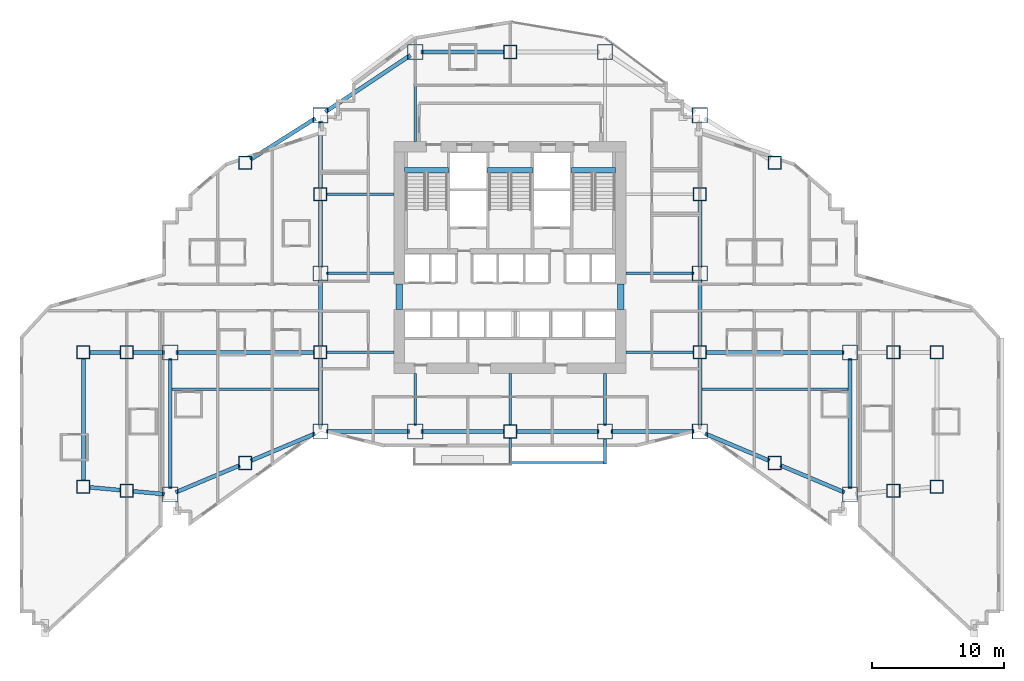
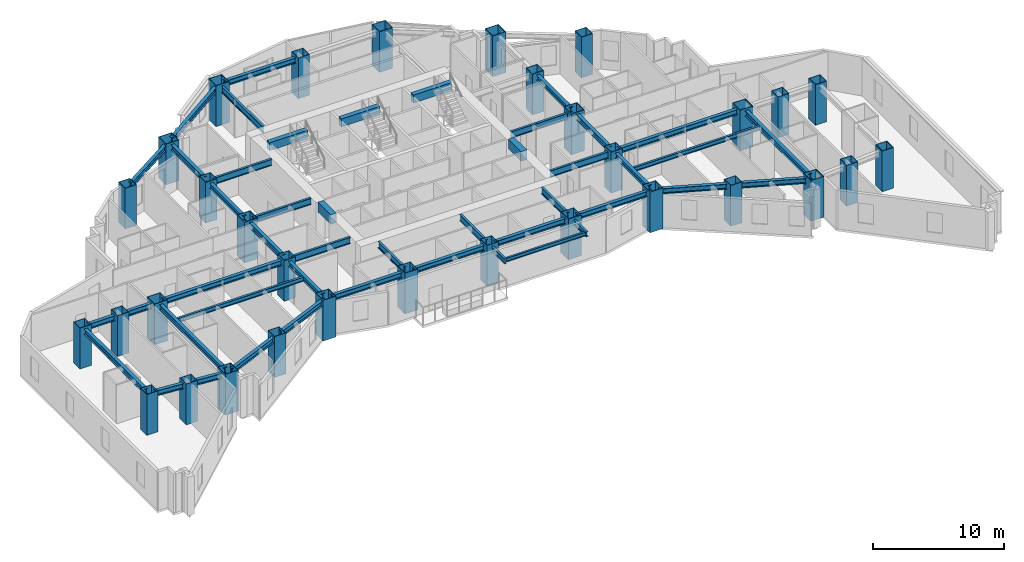
# One storey, part 1 of 16: 46 beams, 32 columns.
"""IFC4 building model written with IfcOpenShell, lengths in metres."""

from ifc_helpers import new_model, si_unit, direction, frame, origin, origin_2d, place, context, subcontext, project, spatial, rectangle, hollow_rectangle, i_section, extrude, material, material_profile, profile_set, type_object, element, save


model = new_model("IFC4")

# Units and contexts
model_context = context("Model", 3, precision=1e-05, world=origin(), true_north=direction((0.0, 1.0)))
body_context = subcontext(model_context, "Body", "Model", "MODEL_VIEW")
ifc_project = project(units=[si_unit("LENGTHUNIT", "METRE"), si_unit("AREAUNIT", "SQUARE_METRE"), si_unit("VOLUMEUNIT", "CUBIC_METRE"), si_unit("PLANEANGLEUNIT", "RADIAN"), si_unit("MASSUNIT", "GRAM", prefix="KILO")], contexts=[model_context])

# Site, building, storey
site_placement = place(None, origin())
site = spatial("IfcSite", under=ifc_project, at=site_placement, CompositionType="ELEMENT")
building_placement = place(site_placement, origin())
building = spatial("IfcBuilding", under=site, at=building_placement, Name="Haolan Belvedere Tower", CompositionType="ELEMENT")
storey_placement = place(building_placement, frame((0.0, 0.0, 78.0)))
storey = spatial("IfcBuildingStorey", under=building, at=storey_placement, Name="L19", CompositionType="ELEMENT", Elevation=78.0)

# Columns
ifc_material_1 = material(Name="Steel Q420GJC", Category="steel")
ifc_material_profile_1 = material_profile(ifc_material_1, hollow_rectangle(XDim=1.0, YDim=1.0, WallThickness=0.0380859375, at=origin_2d()), Name="Steel Q420GJC")
ifc_profile_set_1 = profile_set([ifc_material_profile_1], Name="Steel Q420GJC")
column_type_1 = type_object("IfcColumnType", Name="COL-BOX1000x1000x38", PredefinedType="COLUMN", material=ifc_profile_set_1)
for number, where, z_axis, x_axis, name in (
    (1, (6.0, 17.39990234375, 0.0), (0.0, 0.0, 1.0), (1.0, 0.0, 0.0), "L19 column MC-T1-SW (BOX1000x1000x38)"),
    (2, (6.0, 27.60009765625, 0.0), (0.0, 0.0, 1.0), (1.0, 0.0, 0.0), "L19 column MC-T1-NW (BOX1000x1000x38)"),
    (3, (70.800048828125, 17.39990234375, 0.0), (0.0, 0.0, 1.0), (1.0, 0.0, 0.0), "L19 column MC-T5-SE (BOX1000x1000x38)"),
    (4, (70.800048828125, 27.60009765625, 0.0), (0.0, 0.0, 1.0), (1.0, 0.0, 0.0), "L19 column MC-T5-NE (BOX1000x1000x38)"),
    (5, (24.0, 27.60009765625, 0.0), (0.0, 0.0, 1.0), (1.0, 0.0, 0.0), "L19 column TC-T3-W1 (BOX1000x1000x38)"),
    (6, (24.0, 39.60009765625, 0.0), (0.0, 0.0, 1.0), (1.0, 0.0, 0.0), "L19 column TC-T3-W2 (BOX1000x1000x38)"),
    (7, (52.800048828125, 27.60009765625, 0.0), (0.0, 0.0, 1.0), (1.0, 0.0, 0.0), "L19 column TC-T3-E1 (BOX1000x1000x38)"),
    (8, (52.800048828125, 39.60009765625, 0.0), (0.0, 0.0, 1.0), (1.0, 0.0, 0.0), "L19 column TC-T3-E2 (BOX1000x1000x38)"),
    (9, (38.39990234375, 21.60009765625, 0.0), (0.0, 0.0, 1.0), (1.0, 0.0, 0.0), "L19 column TC-T3-SM (BOX1000x1000x38)"),
    (10, (38.39990234375, 50.39990234375, 0.0), (0.0, 0.0, 1.0), (1.0, 0.0, 0.0), "L19 column TC-T3-NM (BOX1000x1000x38)"),
    (11, (18.300048828125, 19.199951171875, 0.0), (0.0, 0.0, 1.0), (1.0, 0.0, 0.0), "L19 column TC-T2-S1 (BOX1000x1000x38)"),
    (12, (18.300048828125, 42.0, 0.0), (0.0, 0.0, 1.0), (1.0, 0.0, 0.0), "L19 column TC-T2-N1 (BOX1000x1000x38)"),
    (13, (58.5, 19.199951171875, 0.0), (0.0, 0.0, 1.0), (1.0, 0.0, 0.0), "L19 column TC-T4-S1 (BOX1000x1000x38)"),
    (14, (58.5, 42.0, 0.0), (0.0, 0.0, 1.0), (1.0, 0.0, 0.0), "L19 column TC-T4-N1 (BOX1000x1000x38)"),
    (15, (9.300048828125, 17.10009765625, 0.0), (0.0, 0.0, 1.0), (1.0, 0.0, 0.0), "L19 column TC-T1-M1 (BOX1000x1000x38)"),
    (16, (9.300048828125, 27.60009765625, 0.0), (0.0, 0.0, 1.0), (1.0, 0.0, 0.0), "L19 column TC-T1-M2 (BOX1000x1000x38)"),
    (17, (67.5, 17.10009765625, 0.0), (0.0, 0.0, 1.0), (1.0, 0.0, 0.0), "L19 column TC-T5-M1 (BOX1000x1000x38)"),
    (18, (67.5, 27.60009765625, 0.0), (0.0, 0.0, 1.0), (1.0, 0.0, 0.0), "L19 column TC-T5-M2 (BOX1000x1000x38)"),
):
    element("IfcColumn", number, at=place(storey_placement, frame(where, z_axis=z_axis, x_axis=x_axis)), inside=storey, type_object=column_type_1, Name=name, PredefinedType="COLUMN", context=body_context, shape_type="SweptSolid", body=[
        extrude(hollow_rectangle(XDim=1.0, YDim=1.0, WallThickness=0.0380859375, at=origin_2d()), origin(), (0.0, 0.0, 1.0), 3.800048828125),
    ])
ifc_material_2 = material(Name="Steel Q355B", Category="steel")
ifc_material_profile_2 = material_profile(ifc_material_2, hollow_rectangle(XDim=1.14990234375, YDim=1.14990234375, WallThickness=0.0419921875, at=origin_2d()), Name="Steel Q355B")
ifc_profile_set_2 = profile_set([ifc_material_profile_2], Name="Steel Q355B")
column_type_2 = type_object("IfcColumnType", Name="COL-BOX1150x1150x42", PredefinedType="COLUMN", material=ifc_profile_set_2)
for number, where, z_axis, x_axis, name in (
    (19, (24.0, 21.60009765625, 0.0), (0.0, 0.0, 1.0), (1.0, 0.0, 0.0), "L19 column MC-T3-SW (BOX1150x1150x42)"),
    (20, (24.0, 33.60009765625, 0.0), (0.0, 0.0, 1.0), (1.0, 0.0, 0.0), "L19 column MC-T3-MW (BOX1150x1150x42)"),
    (21, (24.0, 45.60009765625, 0.0), (0.0, 0.0, 1.0), (1.0, 0.0, 0.0), "L19 column MC-T3-NW (BOX1150x1150x42)"),
    (22, (52.800048828125, 21.60009765625, 0.0), (0.0, 0.0, 1.0), (1.0, 0.0, 0.0), "L19 column MC-T3-SE (BOX1150x1150x42)"),
    (23, (52.800048828125, 33.60009765625, 0.0), (0.0, 0.0, 1.0), (1.0, 0.0, 0.0), "L19 column MC-T3-ME (BOX1150x1150x42)"),
    (24, (52.800048828125, 45.60009765625, 0.0), (0.0, 0.0, 1.0), (1.0, 0.0, 0.0), "L19 column MC-T3-NE (BOX1150x1150x42)"),
    (25, (31.199951171875, 21.60009765625, 0.0), (0.0, 0.0, 1.0), (1.0, 0.0, 0.0), "L19 column MC-T3-S1 (BOX1150x1150x42)"),
    (26, (45.60009765625, 21.60009765625, 0.0), (0.0, 0.0, 1.0), (1.0, 0.0, 0.0), "L19 column MC-T3-S2 (BOX1150x1150x42)"),
    (27, (31.199951171875, 50.39990234375, 0.0), (0.0, 0.0, 1.0), (1.0, 0.0, 0.0), "L19 column MC-T3-N1 (BOX1150x1150x42)"),
    (28, (45.60009765625, 50.39990234375, 0.0), (0.0, 0.0, 1.0), (1.0, 0.0, 0.0), "L19 column MC-T3-N2 (BOX1150x1150x42)"),
    (29, (12.60009765625, 16.800048828125, 0.0), (0.0, 0.0, 1.0), (1.0, 0.0, 0.0), "L19 column MC-T2-SW (BOX1150x1150x42)"),
    (30, (12.60009765625, 27.60009765625, 0.0), (0.0, 0.0, 1.0), (1.0, 0.0, 0.0), "L19 column MC-T2-MW (BOX1150x1150x42)"),
    (31, (64.199951171875, 16.800048828125, 0.0), (0.0, 0.0, 1.0), (1.0, 0.0, 0.0), "L19 column MC-T4-SE (BOX1150x1150x42)"),
    (32, (64.199951171875, 27.60009765625, 0.0), (0.0, 0.0, 1.0), (1.0, 0.0, 0.0), "L19 column MC-T4-ME (BOX1150x1150x42)"),
):
    element("IfcColumn", number, at=place(storey_placement, frame(where, z_axis=z_axis, x_axis=x_axis)), inside=storey, type_object=column_type_2, Name=name, PredefinedType="COLUMN", context=body_context, shape_type="SweptSolid", body=[
        extrude(hollow_rectangle(XDim=1.14990234375, YDim=1.14990234375, WallThickness=0.0419921875, at=origin_2d()), origin(), (0.0, 0.0, 1.0), 3.800048828125),
    ])

# Beams
ifc_material_profile_3 = material_profile(ifc_material_2, i_section(OverallWidth=0.300048828125, OverallDepth=0.488037109375, WebThickness=0.010986328125, FlangeThickness=0.01806640625, FilletRadius=0.02587890625, at=origin_2d()), Name="Steel Q355B")
ifc_profile_set_3 = profile_set([ifc_material_profile_3], Name="Steel Q355B")
beam_type_1 = type_object("IfcBeamType", Name="BM-HM488x300x11x18", PredefinedType="SPANDREL", material=ifc_profile_set_3)
for number, where, z_axis, x_axis, name in (
    (33, (24.0, 22.050048828125, 3.35595703125), (0.0, 1.0, 0.0), (-1.0, 0.0, 0.0), "L19 spandrel girder MC-T3-SW-TC-T3-W1"),
    (34, (24.0, 28.050048828125, 3.35595703125), (0.0, 1.0, 0.0), (-1.0, 0.0, 0.0), "L19 spandrel girder TC-T3-W1-MC-T3-MW"),
    (35, (24.0, 34.050048828125, 3.35595703125), (0.0, 1.0, 0.0), (-1.0, 0.0, 0.0), "L19 spandrel girder MC-T3-MW-TC-T3-W2"),
    (36, (24.0, 40.050048828125, 3.35595703125), (0.0, 1.0, 0.0), (-1.0, 0.0, 0.0), "L19 spandrel girder TC-T3-W2-MC-T3-NW"),
    (37, (52.800048828125, 22.050048828125, 3.35595703125), (0.0, 1.0, 0.0), (-1.0, 0.0, 0.0), "L19 spandrel girder MC-T3-SE-TC-T3-E1"),
    (38, (52.800048828125, 28.050048828125, 3.35595703125), (0.0, 1.0, 0.0), (-1.0, 0.0, 0.0), "L19 spandrel girder TC-T3-E1-MC-T3-ME"),
    (39, (52.800048828125, 34.050048828125, 3.35595703125), (0.0, 1.0, 0.0), (-1.0, 0.0, 0.0), "L19 spandrel girder MC-T3-ME-TC-T3-E2"),
):
    element("IfcBeam", number, at=place(storey_placement, frame(where, z_axis=z_axis, x_axis=x_axis)), inside=storey, type_object=beam_type_1, Name=name, PredefinedType="SPANDREL", context=body_context, shape_type="SweptSolid", body=[
        extrude(i_section(OverallWidth=0.300048828125, OverallDepth=0.488037109375, WebThickness=0.010986328125, FlangeThickness=0.01806640625, FilletRadius=0.02587890625, at=origin_2d()), origin(), (0.0, 0.0, 1.0), 5.099853515625),
    ])
for number, where, z_axis, x_axis, name in (
    (40, (24.449951171875, 21.60009765625, 3.35595703125), (1.0, 0.0, 0.0), (0.0, 1.0, 0.0), "L19 spandrel girder MC-T3-SW-MC-T3-S1"),
    (41, (31.64990234375, 21.60009765625, 3.35595703125), (1.0, 0.0, 0.0), (0.0, 1.0, 0.0), "L19 spandrel girder MC-T3-S1-TC-T3-SM"),
):
    element("IfcBeam", number, at=place(storey_placement, frame(where, z_axis=z_axis, x_axis=x_axis)), inside=storey, type_object=beam_type_1, Name=name, PredefinedType="SPANDREL", context=body_context, shape_type="SweptSolid", body=[
        extrude(i_section(OverallWidth=0.300048828125, OverallDepth=0.488037109375, WebThickness=0.010986328125, FlangeThickness=0.01806640625, FilletRadius=0.02587890625, at=origin_2d()), origin(), (0.0, 0.0, 1.0), 6.300048828125),
    ])
beam_1_placement = place(storey_placement, frame((38.85009765625, 21.60009765625, 3.35595703125), z_axis=(1.0, 0.0, 0.0), x_axis=(0.0, 1.0, 0.0)))
element("IfcBeam", 42, at=beam_1_placement, inside=storey, type_object=beam_type_1, Name="L19 spandrel girder TC-T3-SM-MC-T3-S2", PredefinedType="SPANDREL", context=body_context, shape_type="SweptSolid", body=[
    extrude(i_section(OverallWidth=0.300048828125, OverallDepth=0.488037109375, WebThickness=0.010986328125, FlangeThickness=0.01806640625, FilletRadius=0.02587890625, at=origin_2d()), origin(), (0.0, 0.0, 1.0), 6.2998046875),
])
beam_2_placement = place(storey_placement, frame((46.050048828125, 21.60009765625, 3.35595703125), z_axis=(1.0, 0.0, 0.0), x_axis=(0.0, 1.0, 0.0)))
element("IfcBeam", 43, at=beam_2_placement, inside=storey, type_object=beam_type_1, Name="L19 spandrel girder MC-T3-S2-MC-T3-SE", PredefinedType="SPANDREL", context=body_context, shape_type="SweptSolid", body=[
    extrude(i_section(OverallWidth=0.300048828125, OverallDepth=0.488037109375, WebThickness=0.010986328125, FlangeThickness=0.01806640625, FilletRadius=0.02587890625, at=origin_2d()), origin(), (0.0, 0.0, 1.0), 6.300048828125),
])
beam_3_placement = place(storey_placement, frame((24.37451171875, 45.849609375, 3.35595703125), z_axis=(0.832050294338, 0.554700196225, 0.0), x_axis=(-0.554700196225, 0.832050294338, 0.0)))
element("IfcBeam", 44, at=beam_3_placement, inside=storey, type_object=beam_type_1, Name="L19 spandrel girder MC-T3-NW-MC-T3-N1", PredefinedType="SPANDREL", context=body_context, shape_type="SweptSolid", body=[
    extrude(i_section(OverallWidth=0.300048828125, OverallDepth=0.488037109375, WebThickness=0.010986328125, FlangeThickness=0.01806640625, FilletRadius=0.02587890625, at=origin_2d()), origin(), (0.0, 0.0, 1.0), 7.75341796875),
])
beam_4_placement = place(storey_placement, frame((31.64990234375, 50.39990234375, 3.35595703125), z_axis=(1.0, 0.0, 0.0), x_axis=(0.0, 1.0, 0.0)))
element("IfcBeam", 45, at=beam_4_placement, inside=storey, type_object=beam_type_1, Name="L19 spandrel girder MC-T3-N1-TC-T3-NM", PredefinedType="SPANDREL", context=body_context, shape_type="SweptSolid", body=[
    extrude(i_section(OverallWidth=0.300048828125, OverallDepth=0.488037109375, WebThickness=0.010986328125, FlangeThickness=0.01806640625, FilletRadius=0.02587890625, at=origin_2d()), origin(), (0.0, 0.0, 1.0), 6.300048828125),
])
beam_5_placement = place(storey_placement, frame((12.60009765625, 17.25, 3.35595703125), z_axis=(0.0, 1.0, 0.0), x_axis=(-1.0, 0.0, 0.0)))
element("IfcBeam", 46, at=beam_5_placement, inside=storey, type_object=beam_type_1, Name="L19 spandrel girder MC-T2-SW-MC-T2-MW", PredefinedType="SPANDREL", context=body_context, shape_type="SweptSolid", body=[
    extrude(i_section(OverallWidth=0.300048828125, OverallDepth=0.488037109375, WebThickness=0.010986328125, FlangeThickness=0.01806640625, FilletRadius=0.02587890625, at=origin_2d()), origin(), (0.0, 0.0, 1.0), 9.89990234375),
])
beam_6_placement = place(storey_placement, frame((13.0146484375, 16.974609375, 3.35595703125), z_axis=(0.921635375138, 0.388057000058, 0.0), x_axis=(-0.388057000058, 0.921635375138, 0.0)))
element("IfcBeam", 47, at=beam_6_placement, inside=storey, type_object=beam_type_1, Name="L19 spandrel girder MC-T2-SW-TC-T2-S1", PredefinedType="SPANDREL", context=body_context, shape_type="SweptSolid", body=[
    extrude(i_section(OverallWidth=0.300048828125, OverallDepth=0.488037109375, WebThickness=0.010986328125, FlangeThickness=0.01806640625, FilletRadius=0.02587890625, at=origin_2d()), origin(), (0.0, 0.0, 1.0), 5.28466796875),
])
beam_7_placement = place(storey_placement, frame((18.71484375, 19.37451171875, 3.35595703125), z_axis=(0.92162841793, 0.388073523014, 0.0), x_axis=(-0.388073523014, 0.92162841793, 0.0)))
element("IfcBeam", 48, at=beam_7_placement, inside=storey, type_object=beam_type_1, Name="L19 spandrel girder TC-T2-S1-MC-T3-SW", PredefinedType="SPANDREL", context=body_context, shape_type="SweptSolid", body=[
    extrude(i_section(OverallWidth=0.300048828125, OverallDepth=0.488037109375, WebThickness=0.010986328125, FlangeThickness=0.01806640625, FilletRadius=0.02587890625, at=origin_2d()), origin(), (0.0, 0.0, 1.0), 5.284423828125),
])
beam_8_placement = place(storey_placement, frame((18.680419921875, 42.240234375, 3.35595703125), z_axis=(0.845497840649, 0.533978839898, 0.0), x_axis=(-0.533978839898, 0.845497840649, 0.0)))
element("IfcBeam", 49, at=beam_8_placement, inside=storey, type_object=beam_type_1, Name="L19 spandrel girder TC-T2-N1-MC-T3-NW", PredefinedType="SPANDREL", context=body_context, shape_type="SweptSolid", body=[
    extrude(i_section(OverallWidth=0.300048828125, OverallDepth=0.488037109375, WebThickness=0.010986328125, FlangeThickness=0.01806640625, FilletRadius=0.02587890625, at=origin_2d()), origin(), (0.0, 0.0, 1.0), 5.841796875),
])
beam_9_placement = place(storey_placement, frame((13.050048828125, 27.60009765625, 3.35595703125), z_axis=(1.0, 0.0, 0.0), x_axis=(0.0, 1.0, 0.0)))
element("IfcBeam", 50, at=beam_9_placement, inside=storey, type_object=beam_type_1, Name="L19 spandrel girder MC-T2-MW-TC-T3-W1", PredefinedType="SPANDREL", context=body_context, shape_type="SweptSolid", body=[
    extrude(i_section(OverallWidth=0.300048828125, OverallDepth=0.488037109375, WebThickness=0.010986328125, FlangeThickness=0.01806640625, FilletRadius=0.02587890625, at=origin_2d()), origin(), (0.0, 0.0, 1.0), 10.5),
])
beam_10_placement = place(storey_placement, frame((64.199951171875, 17.25, 3.35595703125), z_axis=(0.0, 1.0, 0.0), x_axis=(-1.0, 0.0, 0.0)))
element("IfcBeam", 51, at=beam_10_placement, inside=storey, type_object=beam_type_1, Name="L19 spandrel girder MC-T4-SE-MC-T4-ME", PredefinedType="SPANDREL", context=body_context, shape_type="SweptSolid", body=[
    extrude(i_section(OverallWidth=0.300048828125, OverallDepth=0.488037109375, WebThickness=0.010986328125, FlangeThickness=0.01806640625, FilletRadius=0.02587890625, at=origin_2d()), origin(), (0.0, 0.0, 1.0), 9.89990234375),
])
for number, where, z_axis, x_axis, name in (
    (52, (53.21484375, 21.42529296875, 3.35595703125), (0.92162841793, -0.388073523014, 0.0), (0.388073523014, 0.92162841793, 0.0), "L19 spandrel girder MC-T3-SE-TC-T4-S1"),
    (53, (58.914794921875, 19.025390625, 3.35595703125), (0.92162841793, -0.388073523014, 0.0), (0.388073523014, 0.92162841793, 0.0), "L19 spandrel girder TC-T4-S1-MC-T4-SE"),
):
    element("IfcBeam", number, at=place(storey_placement, frame(where, z_axis=z_axis, x_axis=x_axis)), inside=storey, type_object=beam_type_1, Name=name, PredefinedType="SPANDREL", context=body_context, shape_type="SweptSolid", body=[
        extrude(i_section(OverallWidth=0.300048828125, OverallDepth=0.488037109375, WebThickness=0.010986328125, FlangeThickness=0.01806640625, FilletRadius=0.02587890625, at=origin_2d()), origin(), (0.0, 0.0, 1.0), 5.284423828125),
    ])
beam_11_placement = place(storey_placement, frame((53.25, 27.60009765625, 3.35595703125), z_axis=(1.0, 0.0, 0.0), x_axis=(0.0, 1.0, 0.0)))
element("IfcBeam", 54, at=beam_11_placement, inside=storey, type_object=beam_type_1, Name="L19 spandrel girder TC-T3-E1-MC-T4-ME", PredefinedType="SPANDREL", context=body_context, shape_type="SweptSolid", body=[
    extrude(i_section(OverallWidth=0.300048828125, OverallDepth=0.488037109375, WebThickness=0.010986328125, FlangeThickness=0.01806640625, FilletRadius=0.02587890625, at=origin_2d()), origin(), (0.0, 0.0, 1.0), 10.5),
])
beam_12_placement = place(storey_placement, frame((6.0, 17.85009765625, 3.35595703125), z_axis=(0.0, 1.0, 0.0), x_axis=(-1.0, 0.0, 0.0)))
element("IfcBeam", 55, at=beam_12_placement, inside=storey, type_object=beam_type_1, Name="L19 spandrel girder MC-T1-SW-MC-T1-NW", PredefinedType="SPANDREL", context=body_context, shape_type="SweptSolid", body=[
    extrude(i_section(OverallWidth=0.300048828125, OverallDepth=0.488037109375, WebThickness=0.010986328125, FlangeThickness=0.01806640625, FilletRadius=0.02587890625, at=origin_2d()), origin(), (0.0, 0.0, 1.0), 9.2998046875),
])
beam_13_placement = place(storey_placement, frame((6.4482421875, 17.359375, 3.35595703125), z_axis=(0.995884080761, -0.090636072764, 0.0), x_axis=(0.090636072764, 0.995884080761, 0.0)))
element("IfcBeam", 56, at=beam_13_placement, inside=storey, type_object=beam_type_1, Name="L19 spandrel girder MC-T1-SW-TC-T1-M1", PredefinedType="SPANDREL", context=body_context, shape_type="SweptSolid", body=[
    extrude(i_section(OverallWidth=0.300048828125, OverallDepth=0.488037109375, WebThickness=0.010986328125, FlangeThickness=0.01806640625, FilletRadius=0.02587890625, at=origin_2d()), origin(), (0.0, 0.0, 1.0), 2.41357421875),
])
beam_14_placement = place(storey_placement, frame((9.748046875, 17.059326171875, 3.35595703125), z_axis=(0.9958940355, -0.090526626221, 0.0), x_axis=(0.090526626221, 0.9958940355, 0.0)))
element("IfcBeam", 57, at=beam_14_placement, inside=storey, type_object=beam_type_1, Name="L19 spandrel girder TC-T1-M1-MC-T2-SW", PredefinedType="SPANDREL", context=body_context, shape_type="SweptSolid", body=[
    extrude(i_section(OverallWidth=0.300048828125, OverallDepth=0.488037109375, WebThickness=0.010986328125, FlangeThickness=0.01806640625, FilletRadius=0.02587890625, at=origin_2d()), origin(), (0.0, 0.0, 1.0), 2.413818359375),
])
beam_15_placement = place(storey_placement, frame((6.449951171875, 27.60009765625, 3.35595703125), z_axis=(1.0, 0.0, 0.0), x_axis=(0.0, 1.0, 0.0)))
element("IfcBeam", 58, at=beam_15_placement, inside=storey, type_object=beam_type_1, Name="L19 spandrel girder MC-T1-NW-TC-T1-M2", PredefinedType="SPANDREL", context=body_context, shape_type="SweptSolid", body=[
    extrude(i_section(OverallWidth=0.300048828125, OverallDepth=0.488037109375, WebThickness=0.010986328125, FlangeThickness=0.01806640625, FilletRadius=0.02587890625, at=origin_2d()), origin(), (0.0, 0.0, 1.0), 2.400146484375),
])
beam_16_placement = place(storey_placement, frame((9.75, 27.60009765625, 3.35595703125), z_axis=(1.0, 0.0, 0.0), x_axis=(0.0, 1.0, 0.0)))
element("IfcBeam", 59, at=beam_16_placement, inside=storey, type_object=beam_type_1, Name="L19 spandrel girder TC-T1-M2-MC-T2-MW", PredefinedType="SPANDREL", context=body_context, shape_type="SweptSolid", body=[
    extrude(i_section(OverallWidth=0.300048828125, OverallDepth=0.488037109375, WebThickness=0.010986328125, FlangeThickness=0.01806640625, FilletRadius=0.02587890625, at=origin_2d()), origin(), (0.0, 0.0, 1.0), 2.39990234375),
])
ifc_material_profile_4 = material_profile(ifc_material_2, i_section(OverallWidth=0.175048828125, OverallDepth=0.35009765625, WebThickness=0.007080078125, FlangeThickness=0.010986328125, FilletRadius=0.012939453125, at=origin_2d()), Name="Steel Q355B")
ifc_profile_set_4 = profile_set([ifc_material_profile_4], Name="Steel Q355B")
beam_type_2 = type_object("IfcBeamType", Name="BM-HN350x175x7x11", PredefinedType="JOIST", material=ifc_profile_set_4)
beam_17_placement = place(storey_placement, frame((38.5, 19.239990234375, 3.39501953125), z_axis=(1.0, 0.0, 0.0), x_axis=(0.0, 1.0, 0.0)))
element("IfcBeam", 60, at=beam_17_placement, inside=storey, type_object=beam_type_2, Name="L20 tree-balcony front trimmer beam 1", PredefinedType="BEAM", context=body_context, shape_type="SweptSolid", body=[
    extrude(i_section(OverallWidth=0.175048828125, OverallDepth=0.35009765625, WebThickness=0.007080078125, FlangeThickness=0.010986328125, FilletRadius=0.012939453125, at=origin_2d()), origin(), (0.0, 0.0, 1.0), 7.0),
])
ifc_material_profile_5 = material_profile(ifc_material_2, i_section(OverallWidth=0.199951171875, OverallDepth=0.39990234375, WebThickness=0.008056640625, FlangeThickness=0.012939453125, FilletRadius=0.01611328125, at=origin_2d()), Name="Steel Q355B")
ifc_profile_set_5 = profile_set([ifc_material_profile_5], Name="Steel Q355B")
beam_type_3 = type_object("IfcBeamType", Name="BM-HN400x200x8x13", PredefinedType="JOIST", material=ifc_profile_set_5)
for number, where, z_axis, x_axis, name in (
    (61, (12.75, 24.800048828125, 3.39990234375), (1.0, 0.0, 0.0), (0.0, 1.0, 0.0), "L19 west wing floor joist 1"),
    (62, (52.949951171875, 24.800048828125, 3.39990234375), (1.0, 0.0, 0.0), (0.0, 1.0, 0.0), "L19 east wing floor joist 1"),
):
    element("IfcBeam", number, at=place(storey_placement, frame(where, z_axis=z_axis, x_axis=x_axis)), inside=storey, type_object=beam_type_3, Name=name, PredefinedType="JOIST", context=body_context, shape_type="SweptSolid", body=[
        extrude(i_section(OverallWidth=0.199951171875, OverallDepth=0.39990234375, WebThickness=0.008056640625, FlangeThickness=0.012939453125, FilletRadius=0.01611328125, at=origin_2d()), origin(), (0.0, 0.0, 1.0), 11.10009765625),
    ])
ifc_material_profile_6 = material_profile(ifc_material_2, i_section(OverallWidth=0.199951171875, OverallDepth=0.449951171875, WebThickness=0.009033203125, FlangeThickness=0.013916015625, FilletRadius=0.01611328125, at=origin_2d()), Name="Steel Q355B")
ifc_profile_set_6 = profile_set([ifc_material_profile_6], Name="Steel Q355B")
beam_type_4 = type_object("IfcBeamType", Name="BM-HN450x200x9x14", PredefinedType="BEAM", material=ifc_profile_set_6)
beam_18_placement = place(storey_placement, frame((38.39990234375, 21.10009765625, 3.344970703125), z_axis=(0.0, -1.0, 0.0), x_axis=(1.0, 0.0, 0.0)))
element("IfcBeam", 63, at=beam_18_placement, inside=storey, type_object=beam_type_4, Name="L20 tree-balcony column cantilever TC-T3-SM", PredefinedType="BEAM", context=body_context, shape_type="SweptSolid", body=[
    extrude(i_section(OverallWidth=0.199951171875, OverallDepth=0.449951171875, WebThickness=0.009033203125, FlangeThickness=0.013916015625, FilletRadius=0.01611328125, at=origin_2d()), origin(), (0.0, 0.0, 1.0), 1.960205078125),
])
beam_19_placement = place(storey_placement, frame((45.60009765625, 21.02490234375, 3.344970703125), z_axis=(0.0, -1.0, 0.0), x_axis=(1.0, 0.0, 0.0)))
element("IfcBeam", 64, at=beam_19_placement, inside=storey, type_object=beam_type_4, Name="L20 tree-balcony column cantilever MC-T3-S2", PredefinedType="BEAM", context=body_context, shape_type="SweptSolid", body=[
    extrude(i_section(OverallWidth=0.199951171875, OverallDepth=0.449951171875, WebThickness=0.009033203125, FlangeThickness=0.013916015625, FilletRadius=0.01611328125, at=origin_2d()), origin(), (0.0, 0.0, 1.0), 1.885009765625),
])
ifc_material_profile_7 = material_profile(ifc_material_2, i_section(OverallWidth=0.199951171875, OverallDepth=0.60009765625, WebThickness=0.010986328125, FlangeThickness=0.01708984375, FilletRadius=0.02197265625, at=origin_2d()), Name="Steel Q355B")
ifc_profile_set_7 = profile_set([ifc_material_profile_7], Name="Steel Q355B")
beam_type_5 = type_object("IfcBeamType", Name="BM-HN600x200x11x17", PredefinedType="BEAM", material=ifc_profile_set_7)
for number, where, z_axis, x_axis, name in (
    (65, (24.449951171875, 33.60009765625, 3.300048828125), (1.0, 0.0, 0.0), (0.0, 1.0, 0.0), "L19 core tie beam from MC-T3-MW"),
    (66, (24.449951171875, 27.60009765625, 3.300048828125), (1.0, 0.0, 0.0), (0.0, 1.0, 0.0), "L19 core tie beam from TC-T3-W1"),
    (67, (24.449951171875, 39.60009765625, 3.300048828125), (1.0, 0.0, 0.0), (0.0, 1.0, 0.0), "L19 core tie beam from TC-T3-W2"),
    (68, (52.35009765625, 33.60009765625, 3.300048828125), (-1.0, 0.0, 0.0), (0.0, -1.0, 0.0), "L19 core tie beam from MC-T3-ME"),
    (69, (52.35009765625, 27.60009765625, 3.300048828125), (-1.0, 0.0, 0.0), (0.0, -1.0, 0.0), "L19 core tie beam from TC-T3-E1"),
):
    element("IfcBeam", number, at=place(storey_placement, frame(where, z_axis=z_axis, x_axis=x_axis)), inside=storey, type_object=beam_type_5, Name=name, PredefinedType="BEAM", context=body_context, shape_type="SweptSolid", body=[
        extrude(i_section(OverallWidth=0.199951171875, OverallDepth=0.60009765625, WebThickness=0.010986328125, FlangeThickness=0.01708984375, FilletRadius=0.02197265625, at=origin_2d()), origin(), (0.0, 0.0, 1.0), 5.150146484375),
    ])
for number, where, z_axis, x_axis, name in (
    (70, (31.199951171875, 22.050048828125, 3.300048828125), (0.0, 1.0, 0.0), (-1.0, 0.0, 0.0), "L19 core tie beam from MC-T3-S1"),
    (71, (38.39990234375, 22.050048828125, 3.300048828125), (0.0, 1.0, 0.0), (-1.0, 0.0, 0.0), "L19 core tie beam from TC-T3-SM"),
    (72, (45.60009765625, 22.050048828125, 3.300048828125), (0.0, 1.0, 0.0), (-1.0, 0.0, 0.0), "L19 core tie beam from MC-T3-S2"),
):
    element("IfcBeam", number, at=place(storey_placement, frame(where, z_axis=z_axis, x_axis=x_axis)), inside=storey, type_object=beam_type_5, Name=name, PredefinedType="BEAM", context=body_context, shape_type="SweptSolid", body=[
        extrude(i_section(OverallWidth=0.199951171875, OverallDepth=0.60009765625, WebThickness=0.010986328125, FlangeThickness=0.01708984375, FilletRadius=0.02197265625, at=origin_2d()), origin(), (0.0, 0.0, 1.0), 3.949951171875),
    ])
beam_20_placement = place(storey_placement, frame((31.199951171875, 49.949951171875, 3.300048828125), z_axis=(0.0, -1.0, 0.0), x_axis=(1.0, 0.0, 0.0)))
element("IfcBeam", 73, at=beam_20_placement, inside=storey, type_object=beam_type_5, Name="L19 core tie beam from MC-T3-N1", PredefinedType="BEAM", context=body_context, shape_type="SweptSolid", body=[
    extrude(i_section(OverallWidth=0.199951171875, OverallDepth=0.60009765625, WebThickness=0.010986328125, FlangeThickness=0.01708984375, FilletRadius=0.02197265625, at=origin_2d()), origin(), (0.0, 0.0, 1.0), 6.349853515625),
])
ifc_material_3 = material(Name="Concrete C50/60", Category="concrete")
ifc_material_profile_8 = material_profile(ifc_material_3, rectangle(XDim=0.39990234375, YDim=0.75, at=origin_2d()), Name="Concrete C50/60")
ifc_profile_set_8 = profile_set([ifc_material_profile_8], Name="Concrete C50/60")
beam_type_6 = type_object("IfcBeamType", Name="BM-RC400x750", PredefinedType="T_BEAM", material=ifc_profile_set_8)
beam_21_placement = place(storey_placement, frame((30.3798828125, 41.429931640625, 3.425048828125), z_axis=(1.0, 0.0, 0.0), x_axis=(0.0, 1.0, 0.0)))
element("IfcBeam", 74, at=beam_21_placement, inside=storey, type_object=beam_type_6, Name="L20 stair ST1 RC header trimmer beam", PredefinedType="BEAM", context=body_context, shape_type="SweptSolid", body=[
    extrude(rectangle(XDim=0.39990234375, YDim=0.75, at=origin_2d()), origin(), (0.0, 0.0, 1.0), 3.360107421875),
])
beam_22_placement = place(storey_placement, frame((36.699951171875, 41.429931640625, 3.425048828125), z_axis=(1.0, 0.0, 0.0), x_axis=(0.0, 1.0, 0.0)))
element("IfcBeam", 75, at=beam_22_placement, inside=storey, type_object=beam_type_6, Name="L20 stair ST3 RC header trimmer beam", PredefinedType="BEAM", context=body_context, shape_type="SweptSolid", body=[
    extrude(rectangle(XDim=0.39990234375, YDim=0.75, at=origin_2d()), origin(), (0.0, 0.0, 1.0), 3.400146484375),
])
beam_23_placement = place(storey_placement, frame((43.06005859375, 41.429931640625, 3.425048828125), z_axis=(1.0, 0.0, 0.0), x_axis=(0.0, 1.0, 0.0)))
element("IfcBeam", 76, at=beam_23_placement, inside=storey, type_object=beam_type_6, Name="L20 stair ST2 RC header trimmer beam", PredefinedType="BEAM", context=body_context, shape_type="SweptSolid", body=[
    extrude(rectangle(XDim=0.39990234375, YDim=0.75, at=origin_2d()), origin(), (0.0, 0.0, 1.0), 3.35986328125),
])
ifc_material_4 = material(Name="Concrete C60/75", Category="concrete")
ifc_material_profile_9 = material_profile(ifc_material_4, rectangle(XDim=0.5, YDim=0.89990234375, at=origin_2d()), Name="Concrete C60/75")
ifc_profile_set_9 = profile_set([ifc_material_profile_9], Name="Concrete C60/75")
beam_type_7 = type_object("IfcBeamType", Name="BM-RC500x900", PredefinedType="LINTEL", material=ifc_profile_set_9)
for number, where, z_axis, x_axis, name in (
    (77, (30.0, 30.85009765625, 3.14990234375), (0.0, 1.0, 0.0), (-1.0, 0.0, 0.0), "L19 west core coupling beam CB-01"),
    (78, (46.800048828125, 30.85009765625, 3.14990234375), (0.0, 1.0, 0.0), (-1.0, 0.0, 0.0), "L19 east core coupling beam CB-01"),
):
    element("IfcBeam", number, at=place(storey_placement, frame(where, z_axis=z_axis, x_axis=x_axis)), inside=storey, type_object=beam_type_7, Name=name, PredefinedType="LINTEL", context=body_context, shape_type="SweptSolid", body=[
        extrude(rectangle(XDim=0.5, YDim=0.89990234375, at=origin_2d()), origin(), (0.0, 0.0, 1.0), 1.949951171875),
    ])

save(model, "model.ifc")
